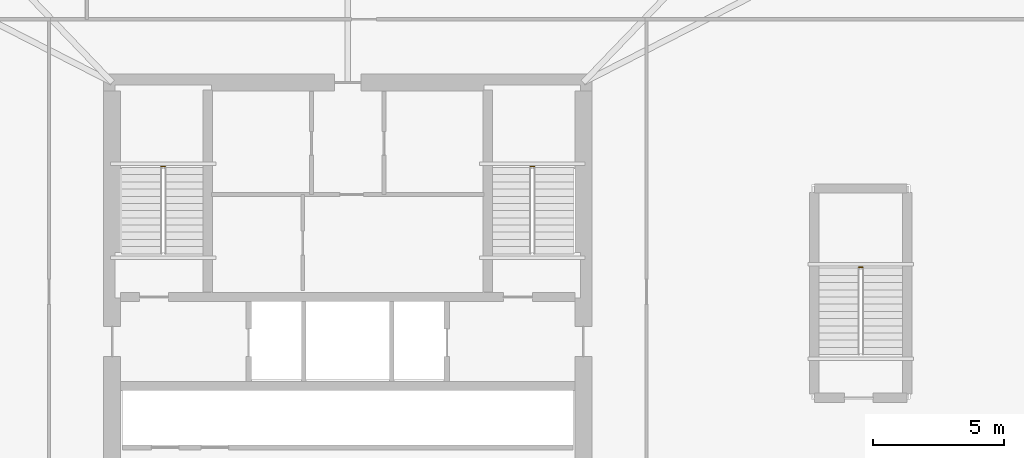
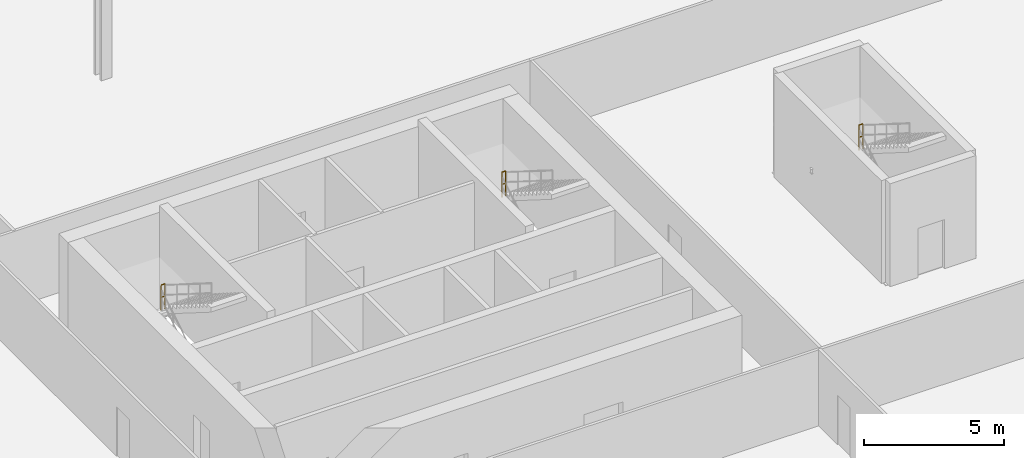
# One storey, part 9 of 9: 3 railings.
"""IFC4 building model written with IfcOpenShell, lengths in metres."""

from ifc_helpers import new_model, si_unit, direction, frame, origin, origin_2d, place, context, subcontext, project, spatial, circle, extrude, material, type_object, element, save


model = new_model("IFC4")

# Units and contexts
model_context = context("Model", 3, precision=1e-05, world=origin(), true_north=direction((0.0, 1.0)))
body_context = subcontext(model_context, "Body", "Model", "MODEL_VIEW")
ifc_project = project(units=[si_unit("LENGTHUNIT", "METRE"), si_unit("AREAUNIT", "SQUARE_METRE"), si_unit("VOLUMEUNIT", "CUBIC_METRE"), si_unit("PLANEANGLEUNIT", "RADIAN"), si_unit("MASSUNIT", "GRAM", prefix="KILO")], contexts=[model_context])

# Site, building, storey
site_placement = place(None, origin())
site = spatial("IfcSite", under=ifc_project, at=site_placement, CompositionType="ELEMENT")
building_placement = place(site_placement, origin())
building = spatial("IfcBuilding", under=site, at=building_placement, Name="Caelvoria Tower", CompositionType="ELEMENT")
storey_placement = place(building_placement, frame((0.0, 0.0, 5.0)))
storey = spatial("IfcBuildingStorey", under=building, at=storey_placement, Name="L01", CompositionType="ELEMENT", Elevation=5.0)

# Railings
ifc_material = material(Name="Brushed Stainless Steel Guardrail", Category="steel")
railing_type = type_object("IfcRailingType", Name="Stair Well and Ramp Guardrail 1120", PredefinedType="GUARDRAIL", material=ifc_material)
for number, where, name in (
    (1, (38.8701171875, 36.7900390625, 2.25), "ST-01 Half-Landing Well Guard L01"),
    (2, (52.969970703125, 36.7900390625, 2.25), "ST-02 Half-Landing Well Guard L01"),
    (3, (65.52001953125, 32.93994140625, 2.25), "ST-04 Half-Landing Well Guard L01"),
):
    element("IfcRailing", number, at=place(storey_placement, frame(where)), inside=storey, type_object=railing_type, Name=name, PredefinedType="GUARDRAIL", context=body_context, shape_type="SweptSolid", body=[
        extrude(circle(Radius=0.02392578125, at=origin_2d()), frame((0.0, 0.0, 1.09619140625), z_axis=(1.0, 0.0, 0.0), x_axis=(0.0, 1.0, 0.0)), (0.0, 0.0, 1.0), 0.159912109375),
        extrude(circle(Radius=0.02392578125, at=origin_2d()), frame((0.0, 0.0, 0.56005859375), z_axis=(1.0, 0.0, 0.0), x_axis=(0.0, 1.0, 0.0)), (0.0, 0.0, 1.0), 0.159912109375),
        extrude(circle(Radius=0.02099609375, at=origin_2d()), origin(), (0.0, 0.0, 1.0), 1.072021484375),
        extrude(circle(Radius=0.02099609375, at=origin_2d()), frame((0.159912109375, 0.0, 0.0)), (0.0, 0.0, 1.0), 1.072021484375),
    ])

save(model, "model.ifc")
